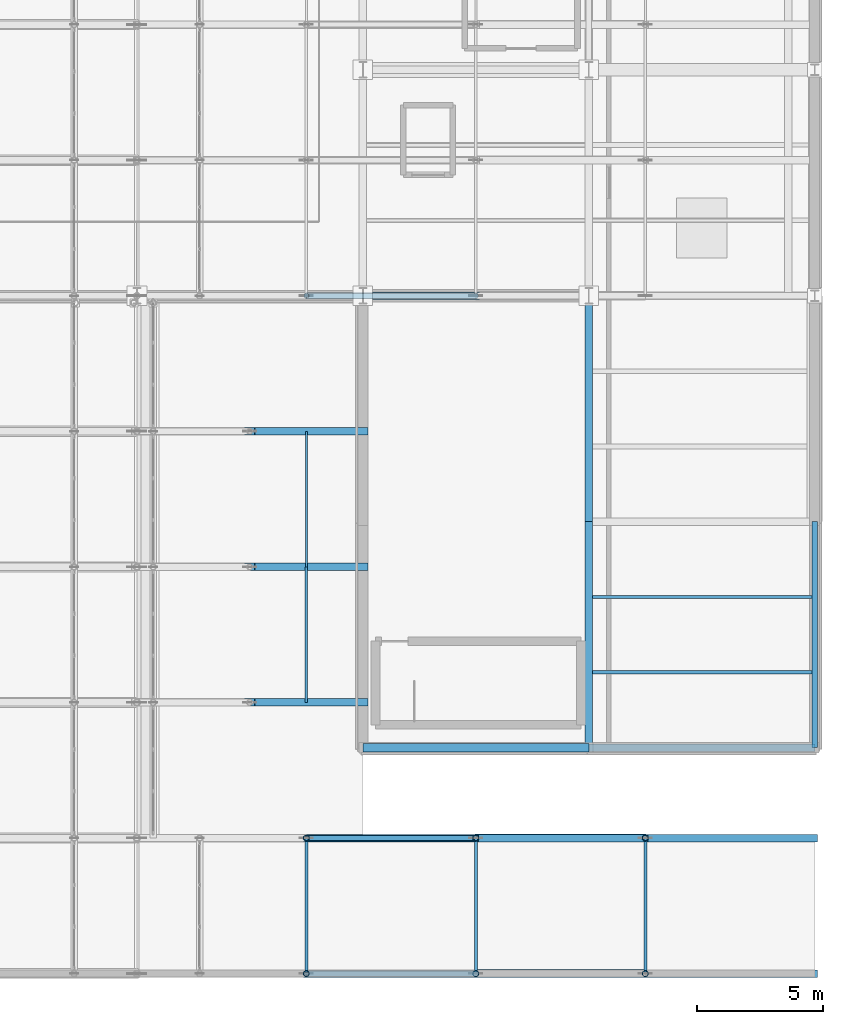
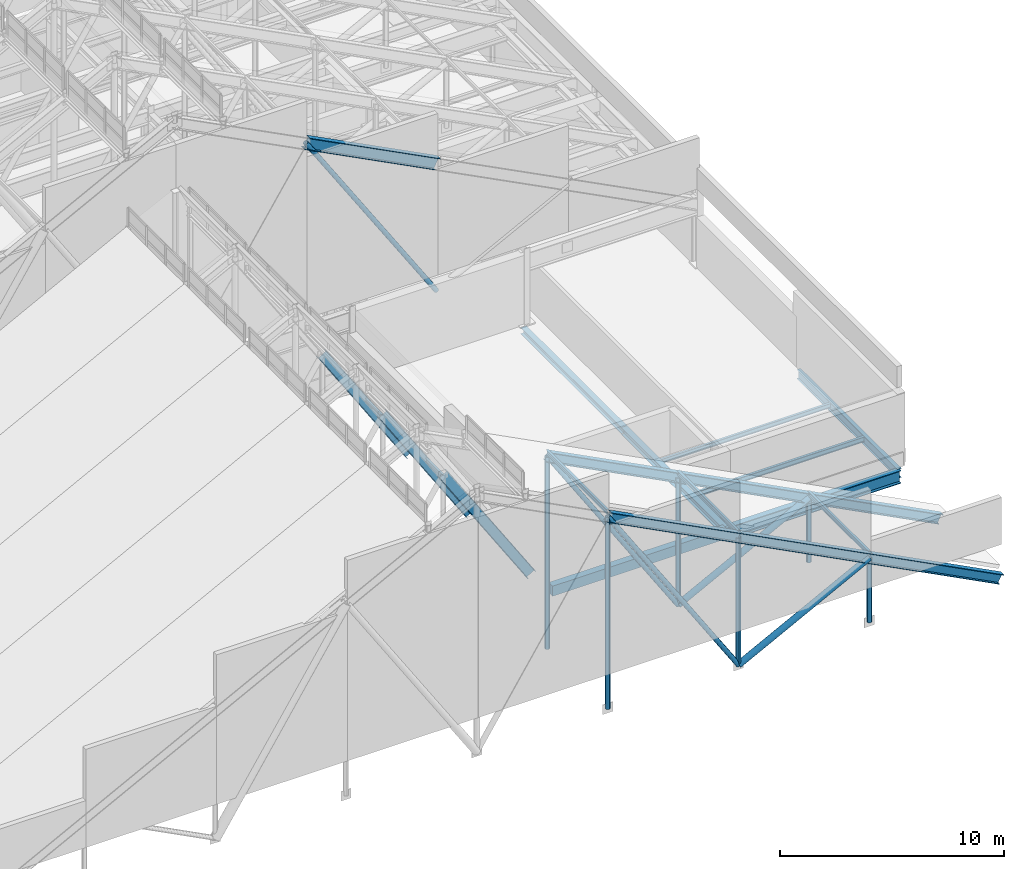
# One storey, part 32 of 84: 26 members, 7 beams.
"""IFC4 building model written with IfcOpenShell, lengths in metres."""

from ifc_helpers import new_model, si_unit, direction, frame, origin, origin_2d, place, context, subcontext, project, spatial, rectangle, hollow_circle, i_section, extrude, material, material_profile, profile_set, type_object, element, save


model = new_model("IFC4")

# Units and contexts
model_context = context("Model", 3, precision=1e-05, world=origin(), true_north=direction((0.0, 1.0)))
body_context = subcontext(model_context, "Body", "Model", "MODEL_VIEW")
ifc_project = project(units=[si_unit("LENGTHUNIT", "METRE"), si_unit("AREAUNIT", "SQUARE_METRE"), si_unit("VOLUMEUNIT", "CUBIC_METRE"), si_unit("PLANEANGLEUNIT", "RADIAN"), si_unit("MASSUNIT", "GRAM", prefix="KILO")], contexts=[model_context])

# Site, building, storey
site_placement = place(None, origin())
site = spatial("IfcSite", under=ifc_project, at=site_placement, CompositionType="ELEMENT")
building_placement = place(site_placement, origin())
building = spatial("IfcBuilding", under=site, at=building_placement, Name="Sundgate Opera House", CompositionType="ELEMENT")
storey_placement = place(building_placement, frame((0.0, 0.0, 30.60009765625)))
storey = spatial("IfcBuildingStorey", under=building, at=storey_placement, Name="L06", CompositionType="ELEMENT", Elevation=30.60009765625)

# Beams
ifc_material_1 = material(Name="Steel S355J2", Category="steel")
ifc_material_profile_1 = material_profile(ifc_material_1, i_section(OverallWidth=0.300048828125, OverallDepth=0.35009765625, WebThickness=0.010009765625, FlangeThickness=0.017578125, at=origin_2d()), Name="HEA 360")
ifc_profile_set_1 = profile_set([ifc_material_profile_1], Name="Steel S355J2")
beam_type_1 = type_object("IfcBeamType", Name="BM-GR-HEA360", PredefinedType="BEAM", material=ifc_profile_set_1)
beam_1_placement = place(storey_placement, frame((72.0, 51.0, -0.43505859375), z_axis=(0.0, 1.0, 0.0), x_axis=(-1.0, 0.0, 0.0)))
element("IfcBeam", 1, at=beam_1_placement, inside=storey, type_object=beam_type_1, Name="L06 Primary N-S Girder B3206", PredefinedType="BEAM", context=body_context, shape_type="SweptSolid", body=[
    extrude(i_section(OverallWidth=0.300048828125, OverallDepth=0.35009765625, WebThickness=0.010009765625, FlangeThickness=0.017578125, at=origin_2d()), origin(), (0.0, 0.0, 1.0), 9.0),
])
ifc_material_2 = material(Name="Steel S355J2", Category="steel")
ifc_material_profile_2 = material_profile(ifc_material_2, i_section(OverallWidth=0.300048828125, OverallDepth=0.389892578125, WebThickness=0.010986328125, FlangeThickness=0.01904296875, at=origin_2d()), Name="HEA 400")
ifc_profile_set_2 = profile_set([ifc_material_profile_2], Name="Steel S355J2")
beam_type_2 = type_object("IfcBeamType", Name="BM-GR-HEA400", PredefinedType="BEAM", material=ifc_profile_set_2)
beam_2_placement = place(storey_placement, frame((72.0, 42.0, -0.455078125), z_axis=(0.0, 1.0, 0.0), x_axis=(-1.0, 0.0, 0.0)))
element("IfcBeam", 2, at=beam_2_placement, inside=storey, type_object=beam_type_2, Name="L06 Primary N-S Girder B3205", PredefinedType="BEAM", context=body_context, shape_type="SweptSolid", body=[
    extrude(i_section(OverallWidth=0.300048828125, OverallDepth=0.389892578125, WebThickness=0.010986328125, FlangeThickness=0.01904296875, at=origin_2d()), origin(), (0.0, 0.0, 1.0), 9.0),
])
ifc_material_3 = material(Name="Steel S355J2", Category="steel")
ifc_material_profile_3 = material_profile(ifc_material_3, i_section(OverallWidth=0.300048828125, OverallDepth=0.699951171875, WebThickness=0.01708984375, FlangeThickness=0.031982421875, at=origin_2d()), Name="HEB 700")
ifc_profile_set_3 = profile_set([ifc_material_profile_3], Name="Steel S355J2")
beam_type_3 = type_object("IfcBeamType", Name="BM-GR-HEB700", PredefinedType="BEAM", material=ifc_profile_set_3)
beam_3_placement = place(storey_placement, frame((72.0, 42.0, -0.610107421875), z_axis=(1.0, 0.0, 0.0), x_axis=(0.0, 1.0, 0.0)))
element("IfcBeam", 3, at=beam_3_placement, inside=storey, type_object=beam_type_3, Name="L06 Primary E-W Girder B3216", PredefinedType="BEAM", context=body_context, shape_type="SweptSolid", body=[
    extrude(i_section(OverallWidth=0.300048828125, OverallDepth=0.699951171875, WebThickness=0.01708984375, FlangeThickness=0.031982421875, at=origin_2d()), origin(), (0.0, 0.0, 1.0), 9.0),
])
ifc_material_4 = material(Name="Steel S355J2", Category="steel")
ifc_material_profile_4 = material_profile(ifc_material_4, i_section(OverallWidth=0.199951171875, OverallDepth=0.5, WebThickness=0.01025390625, FlangeThickness=0.01611328125, at=origin_2d()), Name="IPE 500")
ifc_profile_set_4 = profile_set([ifc_material_profile_4], Name="Steel S355J2")
beam_type_4 = type_object("IfcBeamType", Name="BM-GR-IPE500", PredefinedType="BEAM", material=ifc_profile_set_4)
beam_4_placement = place(storey_placement, frame((81.0, 42.0, -0.510009765625), z_axis=(0.0, 1.0, 0.0), x_axis=(-1.0, 0.0, 0.0)))
element("IfcBeam", 4, at=beam_4_placement, inside=storey, type_object=beam_type_4, Name="L06 Primary N-S Girder B3210", PredefinedType="BEAM", context=body_context, shape_type="SweptSolid", body=[
    extrude(i_section(OverallWidth=0.199951171875, OverallDepth=0.5, WebThickness=0.01025390625, FlangeThickness=0.01611328125, at=origin_2d()), origin(), (0.0, 0.0, 1.0), 9.0),
])
ifc_material_5 = material(Name="Steel S355J2", Category="steel")
ifc_material_profile_5 = material_profile(ifc_material_5, i_section(OverallWidth=0.1201171875, OverallDepth=0.239990234375, WebThickness=0.006103515625, FlangeThickness=0.009765625, at=origin_2d()), Name="IPE 240")
ifc_profile_set_5 = profile_set([ifc_material_profile_5], Name="Steel S355J2")
beam_type_5 = type_object("IfcBeamType", Name="BM-JS-IPE240", PredefinedType="JOIST", material=ifc_profile_set_5)
beam_5_placement = place(storey_placement, frame((72.14990234375, 48.0, -0.380126953125), z_axis=(1.0, 0.0, 0.0), x_axis=(0.0, 1.0, 0.0)))
element("IfcBeam", 5, at=beam_5_placement, inside=storey, type_object=beam_type_5, Name="L06 Secondary Floor Joist B3241", PredefinedType="JOIST", context=body_context, shape_type="SweptSolid", body=[
    extrude(i_section(OverallWidth=0.1201171875, OverallDepth=0.239990234375, WebThickness=0.006103515625, FlangeThickness=0.009765625, at=origin_2d()), origin(), (0.0, 0.0, 1.0), 8.75),
])
ifc_material_6 = material(Name="Steel S355J2", Category="steel")
ifc_material_profile_6 = material_profile(ifc_material_6, i_section(OverallWidth=0.135009765625, OverallDepth=0.27001953125, WebThickness=0.006591796875, FlangeThickness=0.01025390625, at=origin_2d()), Name="IPE 270")
ifc_profile_set_6 = profile_set([ifc_material_profile_6], Name="Steel S355J2")
beam_type_6 = type_object("IfcBeamType", Name="BM-JS-IPE270", PredefinedType="JOIST", material=ifc_profile_set_6)
beam_6_placement = place(storey_placement, frame((72.14990234375, 45.0, -0.39501953125), z_axis=(1.0, 0.0, 0.0), x_axis=(0.0, 1.0, 0.0)))
element("IfcBeam", 6, at=beam_6_placement, inside=storey, type_object=beam_type_6, Name="L06 Secondary Floor Joist B3240", PredefinedType="JOIST", context=body_context, shape_type="SweptSolid", body=[
    extrude(i_section(OverallWidth=0.135009765625, OverallDepth=0.27001953125, WebThickness=0.006591796875, FlangeThickness=0.01025390625, at=origin_2d()), origin(), (0.0, 0.0, 1.0), 8.75),
])
ifc_material_7 = material(Name="Concrete C35/45", Category="concrete")
ifc_material_profile_7 = material_profile(ifc_material_7, rectangle(XDim=0.35009765625, YDim=0.550048828125, at=origin_2d()), Name="RC 350x550")
ifc_profile_set_7 = profile_set([ifc_material_profile_7], Name="Concrete C35/45")
beam_type_7 = type_object("IfcBeamType", Name="BM-RC-350x550", PredefinedType="BEAM", material=ifc_profile_set_7)
beam_7_placement = place(storey_placement, frame((63.0, 42.0, -0.53515625), z_axis=(1.0, 0.0, 0.0), x_axis=(0.0, 1.0, 0.0)))
element("IfcBeam", 7, at=beam_7_placement, inside=storey, type_object=beam_type_7, Name="L06 Primary E-W Girder B3215", PredefinedType="BEAM", context=body_context, shape_type="SweptSolid", body=[
    extrude(rectangle(XDim=0.35009765625, YDim=0.550048828125, at=origin_2d()), origin(), (0.0, 0.0, 1.0), 9.0),
])

# Members
ifc_material_8 = material(Name="Steel S355J2", Category="steel")
ifc_material_profile_8 = material_profile(ifc_material_8, hollow_circle(Radius=0.122314453125, WallThickness=0.012451171875, at=origin_2d()), Name="CHS 244.5x12.5")
ifc_profile_set_8 = profile_set([ifc_material_profile_8], Name="Steel S355J2")
member_type_1 = type_object("IfcMemberType", Name="MB-BRC-CHS244", PredefinedType="BRACE", material=ifc_profile_set_8)
for number, where, z_axis, x_axis, name in (
    (8, (67.5, 33.0, -0.760009765625), (-0.541853645841, 0.0, 0.840472858865), (0.0, -1.0, 0.0), "L06 Auditorium Warren Web Diagonal M0043"),
    (9, (67.5, 38.39990234375, -0.760009765625), (-0.541853645841, 0.0, 0.840472858865), (0.0, -1.0, 0.0), "L06 Auditorium Warren Web Diagonal M0064"),
):
    element("IfcMember", number, at=place(storey_placement, frame(where, z_axis=z_axis, x_axis=x_axis)), inside=storey, type_object=member_type_1, Name=name, PredefinedType="BRACE", context=body_context, shape_type="SweptSolid", body=[
        extrude(hollow_circle(Radius=0.122314453125, WallThickness=0.012451171875, at=origin_2d()), origin(), (0.0, 0.0, 1.0), 12.457275390625),
    ])
member_1_placement = place(storey_placement, frame((67.5, 60.0, 3.289794921875), z_axis=(-0.543221949913, 0.0, 0.839589133525), x_axis=(0.0, -1.0, 0.0)))
element("IfcMember", 10, at=member_1_placement, inside=storey, type_object=member_type_1, Name="L06 Fly-Tower Warren Web Diagonal M0130", PredefinedType="BRACE", context=body_context, shape_type="SweptSolid", body=[
    extrude(hollow_circle(Radius=0.122314453125, WallThickness=0.012451171875, at=origin_2d()), origin(), (0.0, 0.0, 1.0), 12.42578125),
])
ifc_material_9 = material(Name="Steel S355J2", Category="steel")
ifc_material_profile_9 = material_profile(ifc_material_9, i_section(OverallWidth=0.300048828125, OverallDepth=0.5, WebThickness=0.014404296875, FlangeThickness=0.028076171875, at=origin_2d()), Name="HEB 500")
ifc_profile_set_9 = profile_set([ifc_material_profile_9], Name="Steel S355J2")
member_type_2 = type_object("IfcMemberType", Name="MB-CHORD-HEB500", PredefinedType="CHORD", material=ifc_profile_set_9)
for number, where, z_axis, x_axis, name in (
    (11, (60.75, 33.0, 9.7099609375), (0.88829222652, 0.0, -0.459278695678), (0.0, 1.0, 0.0), "L06 Auditorium Truss Top Chord M0042"),
    (12, (67.5, 33.0, 6.219970703125), (0.88829222652, 0.0, -0.459278695678), (0.0, 1.0, 0.0), "L06 Auditorium Truss Top Chord M0044"),
    (13, (74.25, 33.0, 2.72998046875), (0.88829222652, 0.0, -0.459278695678), (0.0, 1.0, 0.0), "L06 Auditorium Truss Top Chord M0046"),
    (14, (60.75, 38.39990234375, 9.7099609375), (0.88829222652, 0.0, -0.459278695678), (0.0, 1.0, 0.0), "L06 Auditorium Truss Top Chord M0063"),
    (15, (67.5, 38.39990234375, 6.219970703125), (0.88829222652, 0.0, -0.459278695678), (0.0, 1.0, 0.0), "L06 Auditorium Truss Top Chord M0065"),
    (16, (74.25, 38.39990234375, 2.72998046875), (0.88829222652, 0.0, -0.459278695678), (0.0, 1.0, 0.0), "L06 Auditorium Truss Top Chord M0067"),
):
    element("IfcMember", number, at=place(storey_placement, frame(where, z_axis=z_axis, x_axis=x_axis)), inside=storey, type_object=member_type_2, Name=name, PredefinedType="CHORD", context=body_context, shape_type="SweptSolid", body=[
        extrude(i_section(OverallWidth=0.300048828125, OverallDepth=0.5, WebThickness=0.014404296875, FlangeThickness=0.028076171875, at=origin_2d()), origin(), (0.0, 0.0, 1.0), 7.598876953125),
    ])
for number, where, z_axis, x_axis, name in (
    (17, (58.5, 43.800048828125, 6.219970703125), (0.541853645841, 0.0, -0.840472858865), (0.0, 1.0, 0.0), "L06 Auditorium Truss Top Chord M0084"),
    (18, (58.5, 49.199951171875, 6.219970703125), (0.541853645841, 0.0, -0.840472858865), (0.0, 1.0, 0.0), "L06 Auditorium Truss Top Chord M0099"),
    (19, (58.5, 54.60009765625, 6.219970703125), (0.541853645841, 0.0, -0.840472858865), (0.0, 1.0, 0.0), "L06 Auditorium Truss Top Chord M0114"),
):
    element("IfcMember", number, at=place(storey_placement, frame(where, z_axis=z_axis, x_axis=x_axis)), inside=storey, type_object=member_type_2, Name=name, PredefinedType="CHORD", context=body_context, shape_type="SweptSolid", body=[
        extrude(i_section(OverallWidth=0.300048828125, OverallDepth=0.5, WebThickness=0.014404296875, FlangeThickness=0.028076171875, at=origin_2d()), origin(), (0.0, 0.0, 1.0), 8.304931640625),
    ])
ifc_material_10 = material(Name="Steel S355J2", Category="steel")
ifc_material_profile_10 = material_profile(ifc_material_10, i_section(OverallWidth=0.300048828125, OverallDepth=0.60009765625, WebThickness=0.015380859375, FlangeThickness=0.030029296875, at=origin_2d()), Name="HEB 600")
ifc_profile_set_10 = profile_set([ifc_material_profile_10], Name="Steel S355J2")
member_type_3 = type_object("IfcMemberType", Name="MB-CHORD-HEB600", PredefinedType="CHORD", material=ifc_profile_set_10)
member_2_placement = place(storey_placement, frame((60.75, 60.0, 13.722412109375), z_axis=(0.888960276237, 0.0, -0.457984308981), x_axis=(0.0, 1.0, 0.0)))
element("IfcMember", 20, at=member_2_placement, inside=storey, type_object=member_type_3, Name="L06 Fly-Tower Truss Top Chord M0129", PredefinedType="CHORD", context=body_context, shape_type="SweptSolid", body=[
    extrude(i_section(OverallWidth=0.300048828125, OverallDepth=0.60009765625, WebThickness=0.015380859375, FlangeThickness=0.030029296875, at=origin_2d()), origin(), (0.0, 0.0, 1.0), 7.59326171875),
])
ifc_material_11 = material(Name="Steel S355J2", Category="steel")
ifc_material_profile_11 = material_profile(ifc_material_11, i_section(OverallWidth=0.08203125, OverallDepth=0.159912109375, WebThickness=0.0048828125, FlangeThickness=0.00732421875, at=origin_2d()), Name="IPE 160")
ifc_profile_set_11 = profile_set([ifc_material_profile_11], Name="Steel S355J2")
member_type_4 = type_object("IfcMemberType", Name="MB-PUR-IPE160", PredefinedType="PURLIN", material=ifc_profile_set_11)
member_3_placement = place(storey_placement, frame((60.75, 49.199951171875, 2.974853515625), z_axis=(0.0, 1.0, 0.0), x_axis=(-1.0, 0.0, 0.0)))
element("IfcMember", 21, at=member_3_placement, inside=storey, type_object=member_type_4, Name="V1 Roof Purlin M0245", PredefinedType="PURLIN", context=body_context, shape_type="SweptSolid", body=[
    extrude(i_section(OverallWidth=0.08203125, OverallDepth=0.159912109375, WebThickness=0.0048828125, FlangeThickness=0.00732421875, at=origin_2d()), origin(), (0.0, 0.0, 1.0), 5.400146484375),
])
ifc_material_12 = material(Name="Steel S355J2", Category="steel")
ifc_material_profile_12 = material_profile(ifc_material_12, i_section(OverallWidth=0.10009765625, OverallDepth=0.199951171875, WebThickness=0.005615234375, FlangeThickness=0.008544921875, at=origin_2d()), Name="IPE 200")
ifc_profile_set_12 = profile_set([ifc_material_profile_12], Name="Steel S355J2")
member_type_5 = type_object("IfcMemberType", Name="MB-PUR-IPE200", PredefinedType="PURLIN", material=ifc_profile_set_12)
member_4_placement = place(storey_placement, frame((60.75, 43.800048828125, 2.974853515625), z_axis=(0.0, 1.0, 0.0), x_axis=(-1.0, 0.0, 0.0)))
element("IfcMember", 22, at=member_4_placement, inside=storey, type_object=member_type_5, Name="V1 Roof Purlin M0241", PredefinedType="PURLIN", context=body_context, shape_type="SweptSolid", body=[
    extrude(i_section(OverallWidth=0.10009765625, OverallDepth=0.199951171875, WebThickness=0.005615234375, FlangeThickness=0.008544921875, at=origin_2d()), origin(), (0.0, 0.0, 1.0), 5.39990234375),
])
ifc_material_13 = material(Name="Steel S355J2", Category="steel")
ifc_material_profile_13 = material_profile(ifc_material_13, i_section(OverallWidth=0.1201171875, OverallDepth=0.239990234375, WebThickness=0.006103515625, FlangeThickness=0.009765625, at=origin_2d()), Name="IPE 240")
ifc_profile_set_13 = profile_set([ifc_material_profile_13], Name="Steel S355J2")
member_type_6 = type_object("IfcMemberType", Name="MB-PUR-IPE240", PredefinedType="PURLIN", material=ifc_profile_set_13)
for number, where, z_axis, x_axis, name in (
    (23, (60.75, 33.0, 9.954833984375), (0.0, 1.0, 0.0), (-1.0, 0.0, 0.0), "V1 Roof Purlin M0235"),
    (24, (67.5, 33.0, 6.46484375), (0.0, 1.0, 0.0), (-1.0, 0.0, 0.0), "V1 Roof Purlin M0236"),
    (25, (74.25, 33.0, 2.974853515625), (0.0, 1.0, 0.0), (-1.0, 0.0, 0.0), "V1 Roof Purlin M0237"),
):
    element("IfcMember", number, at=place(storey_placement, frame(where, z_axis=z_axis, x_axis=x_axis)), inside=storey, type_object=member_type_6, Name=name, PredefinedType="PURLIN", context=body_context, shape_type="SweptSolid", body=[
        extrude(i_section(OverallWidth=0.1201171875, OverallDepth=0.239990234375, WebThickness=0.006103515625, FlangeThickness=0.009765625, at=origin_2d()), origin(), (0.0, 0.0, 1.0), 5.39990234375),
    ])
ifc_material_14 = material(Name="Steel S355J2", Category="steel")
ifc_material_profile_14 = material_profile(ifc_material_14, hollow_circle(Radius=0.122314453125, WallThickness=0.012451171875, at=origin_2d()), Name="CHS 244.5x12.5")
ifc_profile_set_14 = profile_set([ifc_material_profile_14], Name="Steel S355J2")
member_type_7 = type_object("IfcMemberType", Name="MB-STRUT-CHS244", PredefinedType="STRUT", material=ifc_profile_set_14)
member_5_placement = place(storey_placement, frame((60.75, 33.0, -0.760009765625), z_axis=(0.0, 0.0, 1.0), x_axis=(1.0, 0.0, 0.0)))
element("IfcMember", 26, at=member_5_placement, inside=storey, type_object=member_type_7, Name="L06 Auditorium Truss Vertical Post M0051", PredefinedType="STRUT", context=body_context, shape_type="SweptSolid", body=[
    extrude(hollow_circle(Radius=0.122314453125, WallThickness=0.012451171875, at=origin_2d()), origin(), (0.0, 0.0, 1.0), 10.469970703125),
])
member_6_placement = place(storey_placement, frame((67.5, 33.0, -0.760009765625), z_axis=(0.0, 0.0, 1.0), x_axis=(1.0, 0.0, 0.0)))
element("IfcMember", 27, at=member_6_placement, inside=storey, type_object=member_type_7, Name="L06 Auditorium Truss Vertical Post M0052", PredefinedType="STRUT", context=body_context, shape_type="SweptSolid", body=[
    extrude(hollow_circle(Radius=0.122314453125, WallThickness=0.012451171875, at=origin_2d()), origin(), (0.0, 0.0, 1.0), 6.97998046875),
])
member_7_placement = place(storey_placement, frame((74.25, 33.0, -0.760009765625), z_axis=(0.0, 0.0, 1.0), x_axis=(1.0, 0.0, 0.0)))
element("IfcMember", 28, at=member_7_placement, inside=storey, type_object=member_type_7, Name="L06 Auditorium Truss Vertical Post M0053", PredefinedType="STRUT", context=body_context, shape_type="SweptSolid", body=[
    extrude(hollow_circle(Radius=0.122314453125, WallThickness=0.012451171875, at=origin_2d()), origin(), (0.0, 0.0, 1.0), 3.489990234375),
])
member_8_placement = place(storey_placement, frame((60.75, 38.39990234375, -0.760009765625), z_axis=(0.0, 0.0, 1.0), x_axis=(1.0, 0.0, 0.0)))
element("IfcMember", 29, at=member_8_placement, inside=storey, type_object=member_type_7, Name="L06 Auditorium Truss Vertical Post M0072", PredefinedType="STRUT", context=body_context, shape_type="SweptSolid", body=[
    extrude(hollow_circle(Radius=0.122314453125, WallThickness=0.012451171875, at=origin_2d()), origin(), (0.0, 0.0, 1.0), 10.469970703125),
])
member_9_placement = place(storey_placement, frame((67.5, 38.39990234375, -0.760009765625), z_axis=(0.0, 0.0, 1.0), x_axis=(1.0, 0.0, 0.0)))
element("IfcMember", 30, at=member_9_placement, inside=storey, type_object=member_type_7, Name="L06 Auditorium Truss Vertical Post M0073", PredefinedType="STRUT", context=body_context, shape_type="SweptSolid", body=[
    extrude(hollow_circle(Radius=0.122314453125, WallThickness=0.012451171875, at=origin_2d()), origin(), (0.0, 0.0, 1.0), 6.97998046875),
])
member_10_placement = place(storey_placement, frame((74.25, 38.39990234375, -0.760009765625), z_axis=(0.0, 0.0, 1.0), x_axis=(1.0, 0.0, 0.0)))
element("IfcMember", 31, at=member_10_placement, inside=storey, type_object=member_type_7, Name="L06 Auditorium Truss Vertical Post M0074", PredefinedType="STRUT", context=body_context, shape_type="SweptSolid", body=[
    extrude(hollow_circle(Radius=0.122314453125, WallThickness=0.012451171875, at=origin_2d()), origin(), (0.0, 0.0, 1.0), 3.489990234375),
])
ifc_material_15 = material(Name="Steel S355J2", Category="steel")
ifc_material_profile_15 = material_profile(ifc_material_15, hollow_circle(Radius=0.161865234375, WallThickness=0.01611328125, at=origin_2d()), Name="CHS 323.9x16.0")
ifc_profile_set_15 = profile_set([ifc_material_profile_15], Name="Steel S355J2")
member_type_8 = type_object("IfcMemberType", Name="MB-STRUT-CHS324", PredefinedType="STRUT", material=ifc_profile_set_15)
for number, where, z_axis, x_axis, name in (
    (32, (67.5, 33.0, -0.760009765625), (0.88829222652, 0.0, 0.459278695678), (0.0, 1.0, 0.0), "L06 Auditorium Warren Web Strut M0045"),
    (33, (67.5, 38.39990234375, -0.760009765625), (0.88829222652, 0.0, 0.459278695678), (0.0, 1.0, 0.0), "L06 Auditorium Warren Web Strut M0066"),
):
    element("IfcMember", number, at=place(storey_placement, frame(where, z_axis=z_axis, x_axis=x_axis)), inside=storey, type_object=member_type_8, Name=name, PredefinedType="STRUT", context=body_context, shape_type="SweptSolid", body=[
        extrude(hollow_circle(Radius=0.161865234375, WallThickness=0.01611328125, at=origin_2d()), origin(), (0.0, 0.0, 1.0), 7.598876953125),
    ])

save(model, "model.ifc")
